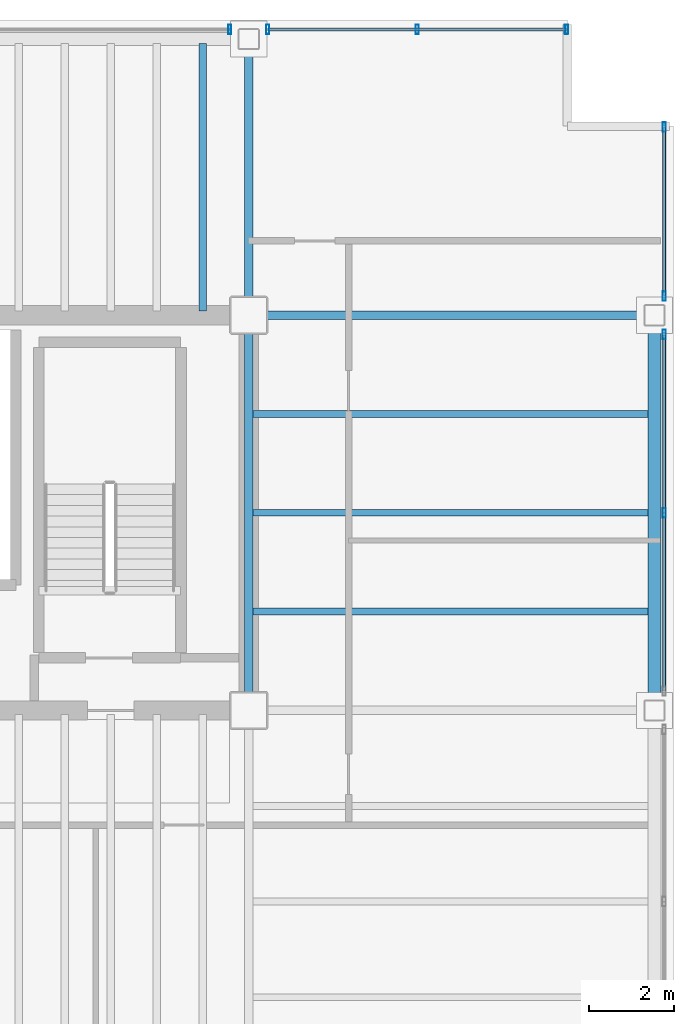
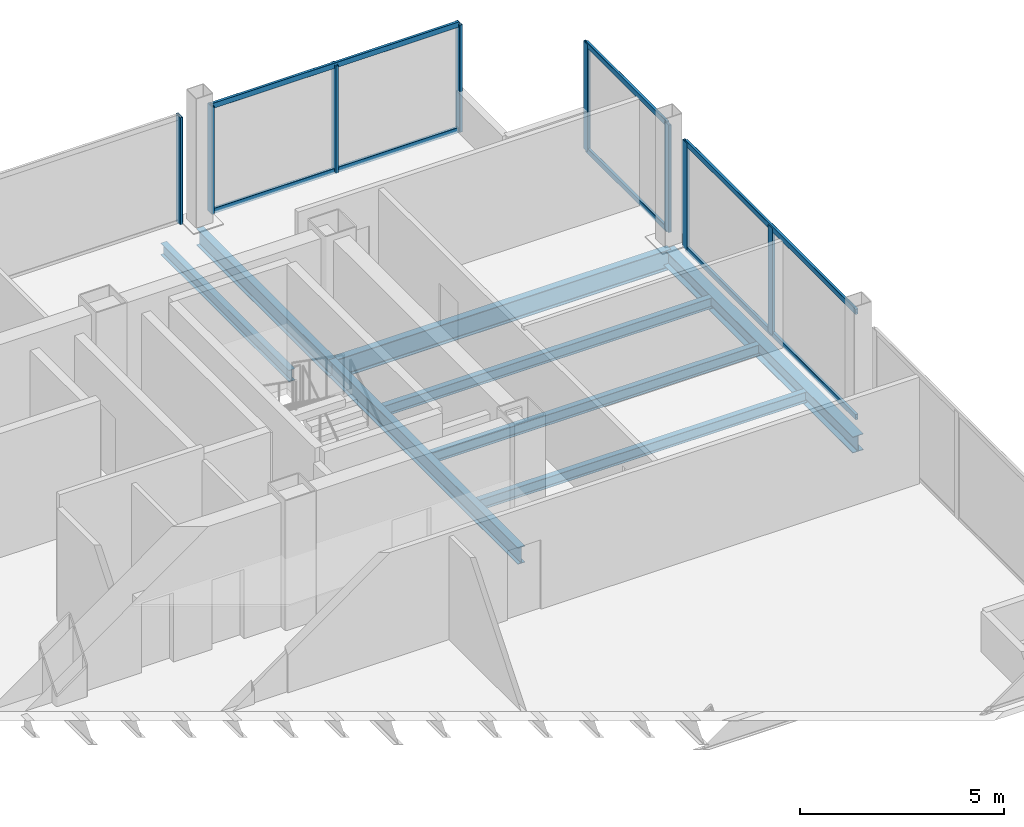
# One storey, part 11 of 15: 14 members, 8 beams, 4 elements without a shape of their own.
"""IFC4 building model written with IfcOpenShell, lengths in metres."""

from ifc_helpers import new_model, si_unit, direction, frame, origin, origin_2d, place, context, subcontext, project, spatial, hollow_rectangle, i_section, extrude, material, material_profile, profile_set, type_object, element, aggregate, save


model = new_model("IFC4")

# Units and contexts
model_context = context("Model", 3, precision=1e-05, world=origin(), true_north=direction((0.0, 1.0)))
body_context = subcontext(model_context, "Body", "Model", "MODEL_VIEW")
ifc_project = project(units=[si_unit("LENGTHUNIT", "METRE"), si_unit("AREAUNIT", "SQUARE_METRE"), si_unit("VOLUMEUNIT", "CUBIC_METRE"), si_unit("PLANEANGLEUNIT", "RADIAN"), si_unit("MASSUNIT", "GRAM", prefix="KILO")], contexts=[model_context])

# Site, building, storey
site_placement = place(None, origin())
site = spatial("IfcSite", under=ifc_project, at=site_placement, CompositionType="ELEMENT")
building_placement = place(site_placement, origin())
building = spatial("IfcBuilding", under=site, at=building_placement, Name="Noeulbin Bourse Tower", CompositionType="ELEMENT")
storey_placement = place(building_placement, frame((0.0, 0.0, 189.0)))
storey = spatial("IfcBuildingStorey", under=building, at=storey_placement, Name="L47", CompositionType="ELEMENT", Elevation=189.0)

# Beams
ifc_material_1 = material(Name="Steel S355", Category="steel")
ifc_material_profile_1 = material_profile(ifc_material_1, i_section(OverallWidth=0.199951171875, OverallDepth=0.5, WebThickness=0.010009765625, FlangeThickness=0.01611328125, FilletRadius=0.02001953125, at=origin_2d()), Name="H-500x200x10x16", Category="LoadBearing")
ifc_profile_set_1 = profile_set([ifc_material_profile_1], Name="Steel S355")
beam_type_1 = type_object("IfcBeamType", Name="BM-GRD-500", PredefinedType="USERDEFINED", material=ifc_profile_set_1)
beam_1_placement = place(storey_placement, frame((44.0, 29.0, -0.429931640625), z_axis=(0.0, 1.0, 0.0), x_axis=(-1.0, 0.0, 0.0)))
element("IfcBeam", 1, at=beam_1_placement, inside=storey, type_object=beam_type_1, Name="Tower Primary Girder NS L47-5.3", ObjectType="GIRDER", PredefinedType="USERDEFINED", context=body_context, shape_type="SweptSolid", body=[
    extrude(i_section(OverallWidth=0.199951171875, OverallDepth=0.5, WebThickness=0.010009765625, FlangeThickness=0.01611328125, FilletRadius=0.02001953125, at=origin_2d()), origin(), (0.0, 0.0, 1.0), 9.300048828125),
])
beam_2_placement = place(storey_placement, frame((44.0, 38.300048828125, -0.429931640625), z_axis=(0.0, 1.0, 0.0), x_axis=(-1.0, 0.0, 0.0)))
element("IfcBeam", 2, at=beam_2_placement, inside=storey, type_object=beam_type_1, Name="Tower Primary Girder NS L47-5.4", ObjectType="GIRDER", PredefinedType="USERDEFINED", context=body_context, shape_type="SweptSolid", body=[
    extrude(i_section(OverallWidth=0.199951171875, OverallDepth=0.5, WebThickness=0.010009765625, FlangeThickness=0.01611328125, FilletRadius=0.02001953125, at=origin_2d()), origin(), (0.0, 0.0, 1.0), 6.5),
])
ifc_material_profile_2 = material_profile(ifc_material_1, i_section(OverallWidth=0.199951171875, OverallDepth=0.60009765625, WebThickness=0.010986328125, FlangeThickness=0.01708984375, FilletRadius=0.02197265625, at=origin_2d()), Name="H-600x200x11x17", Category="LoadBearing")
ifc_profile_set_2 = profile_set([ifc_material_profile_2], Name="Steel S355")
beam_type_2 = type_object("IfcBeamType", Name="BM-GRD-600", PredefinedType="USERDEFINED", material=ifc_profile_set_2)
beam_3_placement = place(storey_placement, frame((44.0, 38.300048828125, -0.47998046875), z_axis=(1.0, 0.0, 0.0), x_axis=(0.0, 1.0, 0.0)))
element("IfcBeam", 3, at=beam_3_placement, inside=storey, type_object=beam_type_2, Name="Tower Primary Girder EW L47-3.6", ObjectType="GIRDER", PredefinedType="USERDEFINED", context=body_context, shape_type="SweptSolid", body=[
    extrude(i_section(OverallWidth=0.199951171875, OverallDepth=0.60009765625, WebThickness=0.010986328125, FlangeThickness=0.01708984375, FilletRadius=0.02197265625, at=origin_2d()), origin(), (0.0, 0.0, 1.0), 9.550048828125),
])
ifc_material_profile_3 = material_profile(ifc_material_1, i_section(OverallWidth=0.159912109375, OverallDepth=0.320068359375, WebThickness=0.006591796875, FlangeThickness=0.010009765625, FilletRadius=0.012939453125, at=origin_2d()), Name="H-320x160x6.5x10", Category="LoadBearing")
ifc_profile_set_3 = profile_set([ifc_material_profile_3], Name="Steel S355")
beam_type_3 = type_object("IfcBeamType", Name="BM-JST-320", PredefinedType="JOIST", material=ifc_profile_set_3)
for number, where, z_axis, x_axis, name in (
    (4, (44.10009765625, 31.324951171875, -0.340087890625), (1.0, 0.0, 0.0), (0.0, 1.0, 0.0), "Wing Composite Joist L47-E76"),
    (5, (44.10009765625, 33.64990234375, -0.340087890625), (1.0, 0.0, 0.0), (0.0, 1.0, 0.0), "Wing Composite Joist L47-E77"),
    (6, (44.10009765625, 35.97509765625, -0.340087890625), (1.0, 0.0, 0.0), (0.0, 1.0, 0.0), "Wing Composite Joist L47-E78"),
):
    element("IfcBeam", number, at=place(storey_placement, frame(where, z_axis=z_axis, x_axis=x_axis)), inside=storey, type_object=beam_type_3, Name=name, PredefinedType="JOIST", context=body_context, shape_type="SweptSolid", body=[
        extrude(i_section(OverallWidth=0.159912109375, OverallDepth=0.320068359375, WebThickness=0.006591796875, FlangeThickness=0.010009765625, FilletRadius=0.012939453125, at=origin_2d()), origin(), (0.0, 0.0, 1.0), 9.2998046875),
    ])
ifc_material_profile_4 = material_profile(ifc_material_1, i_section(OverallWidth=0.175048828125, OverallDepth=0.35009765625, WebThickness=0.007080078125, FlangeThickness=0.010986328125, FilletRadius=0.013916015625, at=origin_2d()), Name="H-350x175x7x11", Category="LoadBearing")
ifc_profile_set_4 = profile_set([ifc_material_profile_4], Name="Steel S355")
beam_type_4 = type_object("IfcBeamType", Name="BM-JST-350", PredefinedType="JOIST", material=ifc_profile_set_4)
beam_4_placement = place(storey_placement, frame((42.916748046875, 38.39990234375, -0.35498046875), z_axis=(0.0, 1.0, 0.0), x_axis=(-1.0, 0.0, 0.0)))
element("IfcBeam", 7, at=beam_4_placement, inside=storey, type_object=beam_type_4, Name="Tower Composite Joist L47-66", PredefinedType="JOIST", context=body_context, shape_type="SweptSolid", body=[
    extrude(i_section(OverallWidth=0.175048828125, OverallDepth=0.35009765625, WebThickness=0.007080078125, FlangeThickness=0.010986328125, FilletRadius=0.013916015625, at=origin_2d()), origin(), (0.0, 0.0, 1.0), 6.300048828125),
])
ifc_material_profile_5 = material_profile(ifc_material_1, i_section(OverallWidth=0.300048828125, OverallDepth=0.488037109375, WebThickness=0.010986328125, FlangeThickness=0.01806640625, FilletRadius=0.02197265625, at=origin_2d()), Name="H-488x300x11x18", Category="LoadBearing")
ifc_profile_set_5 = profile_set([ifc_material_profile_5], Name="Steel S355")
beam_type_5 = type_object("IfcBeamType", Name="BM-SPN-488", PredefinedType="SPANDREL", material=ifc_profile_set_5)
beam_5_placement = place(storey_placement, frame((53.550048828125, 29.0, -0.424072265625), z_axis=(0.0, 1.0, 0.0), x_axis=(-1.0, 0.0, 0.0)))
element("IfcBeam", 8, at=beam_5_placement, inside=storey, type_object=beam_type_5, Name="East Spandrel L47-2", PredefinedType="SPANDREL", context=body_context, shape_type="SweptSolid", body=[
    extrude(i_section(OverallWidth=0.300048828125, OverallDepth=0.488037109375, WebThickness=0.010986328125, FlangeThickness=0.01806640625, FilletRadius=0.02197265625, at=origin_2d()), origin(), (0.0, 0.0, 1.0), 9.300048828125),
])

# Curtain wall, member
ifc_material_2 = material(Name="Dark Tinted Triple Glazing", Category="glass")
curtain_wall_type = type_object("IfcCurtainWallType", Name="CW-SYS-3", PredefinedType="NOTDEFINED", material=ifc_material_2)
curtain_wall_1_placement = place(storey_placement, origin())
curtain_wall_1 = element("IfcCurtainWall", 9, at=curtain_wall_1_placement, inside=storey, type_object=curtain_wall_type, Name="Unitised Curtain Wall CW-L47-N-S4", PredefinedType="NOTDEFINED")
ifc_material_3 = material(Name="Anodised Aluminium 6063-T6", Category="aluminium")
ifc_material_profile_6 = material_profile(ifc_material_3, hollow_rectangle(XDim=0.074951171875, YDim=0.219970703125, WallThickness=0.0048828125, InnerFilletRadius=0.00244140625, OuterFilletRadius=0.0048828125, at=origin_2d()), Name="ALU-MULL-75x220x5", Category="LoadBearing")
ifc_profile_set_6 = profile_set([ifc_material_profile_6], Name="Anodised Aluminium 6063-T6")
member_type_1 = type_object("IfcMemberType", Name="CW-SYS-3-MUL", PredefinedType="MULLION", material=ifc_profile_set_6)
member_1_placement = place(storey_placement, frame((43.550048828125, 45.030029296875, -0.02001953125), z_axis=(0.0, 0.0, 1.0), x_axis=(1.0, 0.0, 0.0)))
member_1 = element("IfcMember", 10, at=member_1_placement, type_object=member_type_1, Name="Curtain Wall Mullion CW-L47-N-S4-M01", PredefinedType="MULLION", context=body_context, shape_type="SweptSolid", body=[
    extrude(hollow_rectangle(XDim=0.074951171875, YDim=0.219970703125, WallThickness=0.0048828125, InnerFilletRadius=0.00244140625, OuterFilletRadius=0.0048828125, at=origin_2d()), origin(), (0.0, 0.0, 1.0), 3.219970703125),
])
aggregate(curtain_wall_1, [member_1])

# Curtain wall, members
curtain_wall_2_placement = place(storey_placement, origin())
curtain_wall_2 = element("IfcCurtainWall", 11, at=curtain_wall_2_placement, inside=storey, type_object=curtain_wall_type, Name="Unitised Curtain Wall CW-L47-N-S5", PredefinedType="NOTDEFINED")
member_2_placement = place(storey_placement, frame((44.449951171875, 45.030029296875, -0.02001953125), z_axis=(0.0, 0.0, 1.0), x_axis=(1.0, 0.0, 0.0)))
member_2 = element("IfcMember", 12, at=member_2_placement, type_object=member_type_1, Name="Curtain Wall Mullion CW-L47-N-S5-M00", PredefinedType="MULLION", context=body_context, shape_type="SweptSolid", body=[
    extrude(hollow_rectangle(XDim=0.074951171875, YDim=0.219970703125, WallThickness=0.0048828125, InnerFilletRadius=0.00244140625, OuterFilletRadius=0.0048828125, at=origin_2d()), origin(), (0.0, 0.0, 1.0), 3.219970703125),
])
member_3_placement = place(storey_placement, frame((47.965087890625, 45.030029296875, -0.02001953125), z_axis=(0.0, 0.0, 1.0), x_axis=(1.0, 0.0, 0.0)))
member_3 = element("IfcMember", 13, at=member_3_placement, type_object=member_type_1, Name="Curtain Wall Mullion CW-L47-N-S5-M01", PredefinedType="MULLION", context=body_context, shape_type="SweptSolid", body=[
    extrude(hollow_rectangle(XDim=0.074951171875, YDim=0.219970703125, WallThickness=0.0048828125, InnerFilletRadius=0.00244140625, OuterFilletRadius=0.0048828125, at=origin_2d()), origin(), (0.0, 0.0, 1.0), 3.219970703125),
])
member_4_placement = place(storey_placement, frame((51.47998046875, 45.030029296875, -0.02001953125), z_axis=(0.0, 0.0, 1.0), x_axis=(1.0, 0.0, 0.0)))
member_4 = element("IfcMember", 14, at=member_4_placement, type_object=member_type_1, Name="Curtain Wall Mullion CW-L47-N-S5-M02", PredefinedType="MULLION", context=body_context, shape_type="SweptSolid", body=[
    extrude(hollow_rectangle(XDim=0.074951171875, YDim=0.219970703125, WallThickness=0.0048828125, InnerFilletRadius=0.00244140625, OuterFilletRadius=0.0048828125, at=origin_2d()), origin(), (0.0, 0.0, 1.0), 3.219970703125),
])

curtain_wall_3_placement = place(storey_placement, origin())
curtain_wall_3 = element("IfcCurtainWall", 15, at=curtain_wall_3_placement, inside=storey, type_object=curtain_wall_type, Name="Unitised Curtain Wall CW-L47-E-S2", PredefinedType="NOTDEFINED")
member_5_placement = place(storey_placement, frame((53.780029296875, 33.64990234375, -0.02001953125), z_axis=(0.0, 0.0, 1.0), x_axis=(1.0, 0.0, 0.0)))
member_5 = element("IfcMember", 16, at=member_5_placement, type_object=member_type_1, Name="Curtain Wall Mullion CW-L47-E-S2-M01", PredefinedType="MULLION", context=body_context, shape_type="SweptSolid", body=[
    extrude(hollow_rectangle(XDim=0.074951171875, YDim=0.219970703125, WallThickness=0.0048828125, InnerFilletRadius=0.00244140625, OuterFilletRadius=0.0048828125, at=origin_2d()), origin(), (0.0, 0.0, 1.0), 3.219970703125),
])
member_6_placement = place(storey_placement, frame((53.780029296875, 37.85009765625, -0.02001953125), z_axis=(0.0, 0.0, 1.0), x_axis=(1.0, 0.0, 0.0)))
member_6 = element("IfcMember", 17, at=member_6_placement, type_object=member_type_1, Name="Curtain Wall Mullion CW-L47-E-S2-M02", PredefinedType="MULLION", context=body_context, shape_type="SweptSolid", body=[
    extrude(hollow_rectangle(XDim=0.074951171875, YDim=0.219970703125, WallThickness=0.0048828125, InnerFilletRadius=0.00244140625, OuterFilletRadius=0.0048828125, at=origin_2d()), origin(), (0.0, 0.0, 1.0), 3.219970703125),
])

curtain_wall_4_placement = place(storey_placement, origin())
curtain_wall_4 = element("IfcCurtainWall", 18, at=curtain_wall_4_placement, inside=storey, type_object=curtain_wall_type, Name="Unitised Curtain Wall CW-L47-E-S3", PredefinedType="NOTDEFINED")
member_7_placement = place(storey_placement, frame((53.780029296875, 38.75, -0.02001953125), z_axis=(0.0, 0.0, 1.0), x_axis=(1.0, 0.0, 0.0)))
member_7 = element("IfcMember", 19, at=member_7_placement, type_object=member_type_1, Name="Curtain Wall Mullion CW-L47-E-S3-M00", PredefinedType="MULLION", context=body_context, shape_type="SweptSolid", body=[
    extrude(hollow_rectangle(XDim=0.074951171875, YDim=0.219970703125, WallThickness=0.0048828125, InnerFilletRadius=0.00244140625, OuterFilletRadius=0.0048828125, at=origin_2d()), origin(), (0.0, 0.0, 1.0), 3.219970703125),
])
member_8_placement = place(storey_placement, frame((53.780029296875, 42.72998046875, -0.02001953125), z_axis=(0.0, 0.0, 1.0), x_axis=(1.0, 0.0, 0.0)))
member_8 = element("IfcMember", 20, at=member_8_placement, type_object=member_type_1, Name="Curtain Wall Mullion CW-L47-E-S3-M01", PredefinedType="MULLION", context=body_context, shape_type="SweptSolid", body=[
    extrude(hollow_rectangle(XDim=0.074951171875, YDim=0.219970703125, WallThickness=0.0048828125, InnerFilletRadius=0.00244140625, OuterFilletRadius=0.0048828125, at=origin_2d()), origin(), (0.0, 0.0, 1.0), 3.219970703125),
])

# Member
ifc_material_profile_7 = material_profile(ifc_material_3, hollow_rectangle(XDim=0.074951171875, YDim=0.159912109375, WallThickness=0.0048828125, InnerFilletRadius=0.00244140625, OuterFilletRadius=0.0048828125, at=origin_2d()), Name="ALU-TRAN-75x160x5", Category="LoadBearing")
ifc_profile_set_7 = profile_set([ifc_material_profile_7], Name="Anodised Aluminium 6063-T6")
member_type_2 = type_object("IfcMemberType", Name="CW-SYS-3-TRN", PredefinedType="USERDEFINED", material=ifc_profile_set_7)
member_9_placement = place(storey_placement, frame((44.4599609375, 45.030029296875, 0.010009765625), z_axis=(1.0, 0.0, 0.0), x_axis=(0.0, 1.0, 0.0)))
member_9 = element("IfcMember", 21, at=member_9_placement, type_object=member_type_2, Name="Curtain Wall Transom CW-L47-N-S5-T00", ObjectType="TRANSOM", PredefinedType="USERDEFINED", context=body_context, shape_type="SweptSolid", body=[
    extrude(hollow_rectangle(XDim=0.074951171875, YDim=0.159912109375, WallThickness=0.0048828125, InnerFilletRadius=0.00244140625, OuterFilletRadius=0.0048828125, at=origin_2d()), origin(), (0.0, 0.0, 1.0), 7.010009765625),
])

member_10_placement = place(storey_placement, frame((44.4599609375, 45.030029296875, 3.169921875), z_axis=(1.0, 0.0, 0.0), x_axis=(0.0, 1.0, 0.0)))
member_10 = element("IfcMember", 22, at=member_10_placement, type_object=member_type_2, Name="Curtain Wall Transom CW-L47-N-S5-T01", ObjectType="TRANSOM", PredefinedType="USERDEFINED", context=body_context, shape_type="SweptSolid", body=[
    extrude(hollow_rectangle(XDim=0.074951171875, YDim=0.159912109375, WallThickness=0.0048828125, InnerFilletRadius=0.00244140625, OuterFilletRadius=0.0048828125, at=origin_2d()), origin(), (0.0, 0.0, 1.0), 7.010009765625),
])

aggregate(curtain_wall_2, [member_2, member_3, member_4, member_9, member_10])

member_11_placement = place(storey_placement, frame((53.780029296875, 29.4599609375, 0.010009765625), z_axis=(0.0, 1.0, 0.0), x_axis=(-1.0, 0.0, 0.0)))
member_11 = element("IfcMember", 23, at=member_11_placement, type_object=member_type_2, Name="Curtain Wall Transom CW-L47-E-S2-T00", ObjectType="TRANSOM", PredefinedType="USERDEFINED", context=body_context, shape_type="SweptSolid", body=[
    extrude(hollow_rectangle(XDim=0.074951171875, YDim=0.159912109375, WallThickness=0.0048828125, InnerFilletRadius=0.00244140625, OuterFilletRadius=0.0048828125, at=origin_2d()), origin(), (0.0, 0.0, 1.0), 8.380126953125),
])

member_12_placement = place(storey_placement, frame((53.780029296875, 29.4599609375, 3.169921875), z_axis=(0.0, 1.0, 0.0), x_axis=(-1.0, 0.0, 0.0)))
member_12 = element("IfcMember", 24, at=member_12_placement, type_object=member_type_2, Name="Curtain Wall Transom CW-L47-E-S2-T01", ObjectType="TRANSOM", PredefinedType="USERDEFINED", context=body_context, shape_type="SweptSolid", body=[
    extrude(hollow_rectangle(XDim=0.074951171875, YDim=0.159912109375, WallThickness=0.0048828125, InnerFilletRadius=0.00244140625, OuterFilletRadius=0.0048828125, at=origin_2d()), origin(), (0.0, 0.0, 1.0), 8.380126953125),
])

aggregate(curtain_wall_3, [member_5, member_6, member_11, member_12])

member_13_placement = place(storey_placement, frame((53.780029296875, 38.760009765625, 0.010009765625), z_axis=(0.0, 1.0, 0.0), x_axis=(-1.0, 0.0, 0.0)))
member_13 = element("IfcMember", 25, at=member_13_placement, type_object=member_type_2, Name="Curtain Wall Transom CW-L47-E-S3-T00", ObjectType="TRANSOM", PredefinedType="USERDEFINED", context=body_context, shape_type="SweptSolid", body=[
    extrude(hollow_rectangle(XDim=0.074951171875, YDim=0.159912109375, WallThickness=0.0048828125, InnerFilletRadius=0.00244140625, OuterFilletRadius=0.0048828125, at=origin_2d()), origin(), (0.0, 0.0, 1.0), 3.9599609375),
])

member_14_placement = place(storey_placement, frame((53.780029296875, 38.760009765625, 3.169921875), z_axis=(0.0, 1.0, 0.0), x_axis=(-1.0, 0.0, 0.0)))
member_14 = element("IfcMember", 26, at=member_14_placement, type_object=member_type_2, Name="Curtain Wall Transom CW-L47-E-S3-T01", ObjectType="TRANSOM", PredefinedType="USERDEFINED", context=body_context, shape_type="SweptSolid", body=[
    extrude(hollow_rectangle(XDim=0.074951171875, YDim=0.159912109375, WallThickness=0.0048828125, InnerFilletRadius=0.00244140625, OuterFilletRadius=0.0048828125, at=origin_2d()), origin(), (0.0, 0.0, 1.0), 3.9599609375),
])

aggregate(curtain_wall_4, [member_7, member_8, member_13, member_14])

save(model, "model.ifc")
